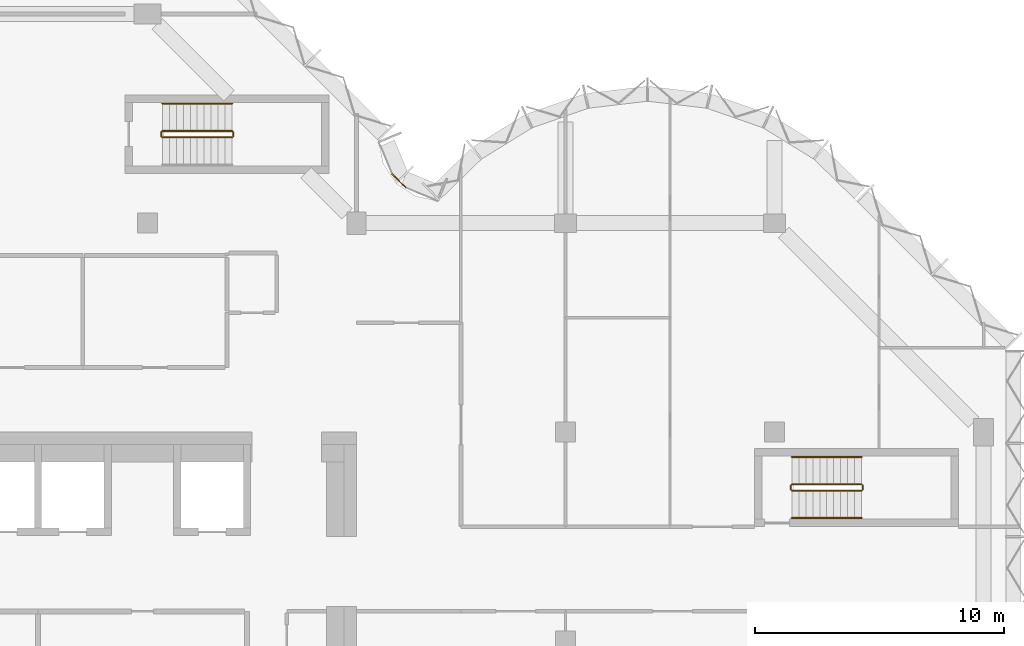
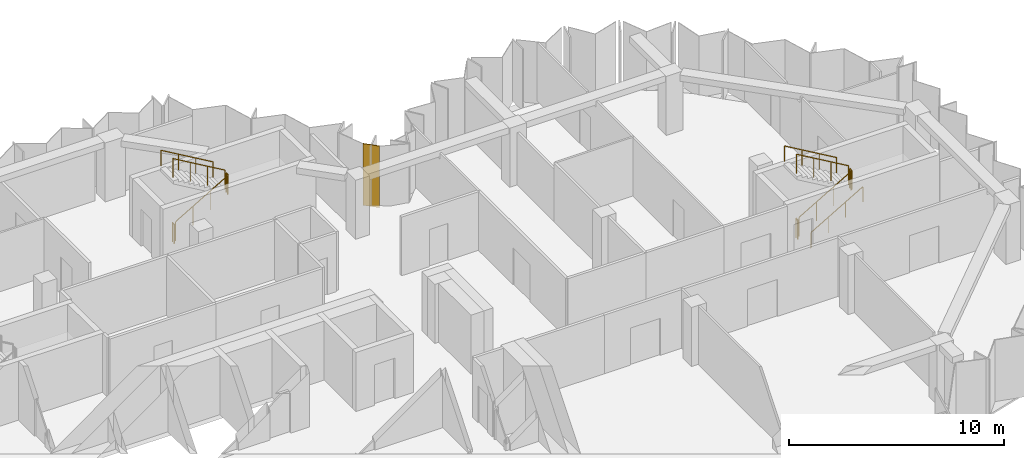
# One storey, part 10 of 10: 11 railings, 1 covering, 1 element without a shape of its own.
"""IFC4 building model written with IfcOpenShell, lengths in metres."""

from ifc_helpers import new_model, si_unit, direction, frame, origin, origin_2d, place, context, subcontext, project, spatial, polyline, circle, outline, extrude, material, layer, layer_set, type_object, element, aggregate, save


model = new_model("IFC4")

# Units and contexts
model_context = context("Model", 3, precision=1e-05, world=origin(), true_north=direction((0.0, 1.0)))
body_context = subcontext(model_context, "Body", "Model", "MODEL_VIEW")
ifc_project = project(units=[si_unit("LENGTHUNIT", "METRE"), si_unit("AREAUNIT", "SQUARE_METRE"), si_unit("VOLUMEUNIT", "CUBIC_METRE"), si_unit("PLANEANGLEUNIT", "RADIAN"), si_unit("MASSUNIT", "GRAM", prefix="KILO")], contexts=[model_context])

# Site, building, storey
site_placement = place(None, origin())
site = spatial("IfcSite", under=ifc_project, at=site_placement, CompositionType="ELEMENT")
building_placement = place(site_placement, origin())
building = spatial("IfcBuilding", under=site, at=building_placement, Name="Brevane Broadcast Tower", CompositionType="ELEMENT")
storey_placement = place(building_placement, frame((0.0, 0.0, 237.300048828125)))
storey = spatial("IfcBuildingStorey", under=building, at=storey_placement, Name="L60", CompositionType="ELEMENT", Elevation=237.300048828125)

# Railings
ifc_material_1 = material(Name="Steel S355", Category="steel")
railing_type_1 = type_object("IfcRailingType", Name="Exit stair guard", PredefinedType="GUARDRAIL", material=ifc_material_1)
railing_1_placement = place(storey_placement, frame((17.39990234375, 28.64990234375, 0.16357421875)))
element("IfcRailing", 1, at=railing_1_placement, inside=storey, type_object=railing_type_1, Name="L60 ST-3 stair guard 1", PredefinedType="GUARDRAIL", context=body_context, shape_type="SweptSolid", body=[
    extrude(circle(Radius=0.02392578125, at=origin_2d()), frame((0.0, 0.0, 1.076171875), z_axis=(0.863360870873, 0.0, 0.504586966384), x_axis=(0.0, 1.0, 0.0)), (0.0, 0.0, 1.0), 3.2431640625),
    extrude(circle(Radius=0.02099609375, at=origin_2d()), origin(), (0.0, 0.0, 1.0), 1.052001953125),
    extrude(circle(Radius=0.02099609375, at=origin_2d()), frame((0.933349609375, 0.0, 0.54541015625)), (0.0, 0.0, 1.0), 1.052001953125),
    extrude(circle(Radius=0.02099609375, at=origin_2d()), frame((1.86669921875, 0.0, 1.091064453125)), (0.0, 0.0, 1.0), 1.052001953125),
    extrude(circle(Radius=0.02099609375, at=origin_2d()), frame((2.800048828125, 0.0, 1.636474609375)), (0.0, 0.0, 1.0), 1.052001953125),
])
railing_2_placement = place(storey_placement, frame((20.25, 28.699951171875, 1.800048828125)))
element("IfcRailing", 2, at=railing_2_placement, inside=storey, type_object=railing_type_1, Name="L60 ST-3 stair guard 2", PredefinedType="GUARDRAIL", context=body_context, shape_type="SweptSolid", body=[
    extrude(circle(Radius=0.02392578125, at=origin_2d()), frame((0.0, 0.0, 1.076171875), z_axis=(0.0, 1.0, 0.0), x_axis=(-1.0, 0.0, 0.0)), (0.0, 0.0, 1.0), 0.150146484375),
    extrude(circle(Radius=0.02099609375, at=origin_2d()), origin(), (0.0, 0.0, 1.0), 1.052001953125),
    extrude(circle(Radius=0.02099609375, at=origin_2d()), frame((0.0, 0.150146484375, 0.0)), (0.0, 0.0, 1.0), 1.052001953125),
])
railing_3_placement = place(storey_placement, frame((20.199951171875, 28.89990234375, 1.963623046875)))
element("IfcRailing", 3, at=railing_3_placement, inside=storey, type_object=railing_type_1, Name="L60 ST-3 stair guard 3", PredefinedType="GUARDRAIL", context=body_context, shape_type="SweptSolid", body=[
    extrude(circle(Radius=0.02392578125, at=origin_2d()), frame((0.0, 0.0, 1.076171875), z_axis=(-0.863393664356, 0.0, 0.504530851732), x_axis=(0.0, -1.0, 0.0)), (0.0, 0.0, 1.0), 3.2431640625),
    extrude(circle(Radius=0.02099609375, at=origin_2d()), origin(), (0.0, 0.0, 1.0), 1.052001953125),
    extrude(circle(Radius=0.02099609375, at=origin_2d()), frame((-0.933349609375, 0.0, 0.54541015625)), (0.0, 0.0, 1.0), 1.052001953125),
    extrude(circle(Radius=0.02099609375, at=origin_2d()), frame((-1.86669921875, 0.0, 1.0908203125)), (0.0, 0.0, 1.0), 1.052001953125),
    extrude(circle(Radius=0.02099609375, at=origin_2d()), frame((-2.800048828125, 0.0, 1.63623046875)), (0.0, 0.0, 1.0), 1.052001953125),
])
railing_4_placement = place(storey_placement, frame((17.35009765625, 28.699951171875, 0.0)))
element("IfcRailing", 4, at=railing_4_placement, inside=storey, type_object=railing_type_1, Name="L60 ST-3 stair guard 4", PredefinedType="GUARDRAIL", context=body_context, shape_type="SweptSolid", body=[
    extrude(circle(Radius=0.02392578125, at=origin_2d()), frame((0.0, 0.0, 1.076171875), z_axis=(0.0, 1.0, 0.0), x_axis=(-1.0, 0.0, 0.0)), (0.0, 0.0, 1.0), 0.150146484375),
    extrude(circle(Radius=0.02099609375, at=origin_2d()), origin(), (0.0, 0.0, 1.0), 1.052001953125),
    extrude(circle(Radius=0.02099609375, at=origin_2d()), frame((0.0, 0.150146484375, 0.0)), (0.0, 0.0, 1.0), 1.052001953125),
])
railing_5_placement = place(storey_placement, frame((42.699951171875, 14.449951171875, 0.16357421875)))
element("IfcRailing", 5, at=railing_5_placement, inside=storey, type_object=railing_type_1, Name="L60 ST-4 stair guard 1", PredefinedType="GUARDRAIL", context=body_context, shape_type="SweptSolid", body=[
    extrude(circle(Radius=0.02392578125, at=origin_2d()), frame((0.0, 0.0, 1.076171875), z_axis=(0.863360870873, 0.0, 0.504586966384), x_axis=(0.0, 1.0, 0.0)), (0.0, 0.0, 1.0), 3.2431640625),
    extrude(circle(Radius=0.02099609375, at=origin_2d()), origin(), (0.0, 0.0, 1.0), 1.052001953125),
    extrude(circle(Radius=0.02099609375, at=origin_2d()), frame((0.933349609375, 0.0, 0.54541015625)), (0.0, 0.0, 1.0), 1.052001953125),
    extrude(circle(Radius=0.02099609375, at=origin_2d()), frame((1.86669921875, 0.0, 1.091064453125)), (0.0, 0.0, 1.0), 1.052001953125),
    extrude(circle(Radius=0.02099609375, at=origin_2d()), frame((2.800048828125, 0.0, 1.636474609375)), (0.0, 0.0, 1.0), 1.052001953125),
])
railing_6_placement = place(storey_placement, frame((45.550048828125, 14.5, 1.800048828125)))
element("IfcRailing", 6, at=railing_6_placement, inside=storey, type_object=railing_type_1, Name="L60 ST-4 stair guard 2", PredefinedType="GUARDRAIL", context=body_context, shape_type="SweptSolid", body=[
    extrude(circle(Radius=0.02392578125, at=origin_2d()), frame((0.0, 0.0, 1.076171875), z_axis=(0.0, 1.0, 0.0), x_axis=(-1.0, 0.0, 0.0)), (0.0, 0.0, 1.0), 0.14990234375),
    extrude(circle(Radius=0.02099609375, at=origin_2d()), origin(), (0.0, 0.0, 1.0), 1.052001953125),
    extrude(circle(Radius=0.02099609375, at=origin_2d()), frame((0.0, 0.14990234375, 0.0)), (0.0, 0.0, 1.0), 1.052001953125),
])
railing_7_placement = place(storey_placement, frame((45.5, 14.699951171875, 1.963623046875)))
element("IfcRailing", 7, at=railing_7_placement, inside=storey, type_object=railing_type_1, Name="L60 ST-4 stair guard 3", PredefinedType="GUARDRAIL", context=body_context, shape_type="SweptSolid", body=[
    extrude(circle(Radius=0.02392578125, at=origin_2d()), frame((0.0, 0.0, 1.076171875), z_axis=(-0.863393664356, 0.0, 0.504530851732), x_axis=(0.0, -1.0, 0.0)), (0.0, 0.0, 1.0), 3.2431640625),
    extrude(circle(Radius=0.02099609375, at=origin_2d()), origin(), (0.0, 0.0, 1.0), 1.052001953125),
    extrude(circle(Radius=0.02099609375, at=origin_2d()), frame((-0.933349609375, 0.0, 0.54541015625)), (0.0, 0.0, 1.0), 1.052001953125),
    extrude(circle(Radius=0.02099609375, at=origin_2d()), frame((-1.86669921875, 0.0, 1.0908203125)), (0.0, 0.0, 1.0), 1.052001953125),
    extrude(circle(Radius=0.02099609375, at=origin_2d()), frame((-2.800048828125, 0.0, 1.63623046875)), (0.0, 0.0, 1.0), 1.052001953125),
])
railing_8_placement = place(storey_placement, frame((42.64990234375, 14.5, 0.0)))
element("IfcRailing", 8, at=railing_8_placement, inside=storey, type_object=railing_type_1, Name="L60 ST-4 stair guard 4", PredefinedType="GUARDRAIL", context=body_context, shape_type="SweptSolid", body=[
    extrude(circle(Radius=0.02392578125, at=origin_2d()), frame((0.0, 0.0, 1.076171875), z_axis=(0.0, 1.0, 0.0), x_axis=(-1.0, 0.0, 0.0)), (0.0, 0.0, 1.0), 0.14990234375),
    extrude(circle(Radius=0.02099609375, at=origin_2d()), origin(), (0.0, 0.0, 1.0), 1.052001953125),
    extrude(circle(Radius=0.02099609375, at=origin_2d()), frame((0.0, 0.14990234375, 0.0)), (0.0, 0.0, 1.0), 1.052001953125),
])
railing_type_2 = type_object("IfcRailingType", Name="Exit stair handrail", PredefinedType="HANDRAIL", material=ifc_material_1)
railing_9_placement = place(storey_placement, frame((20.199951171875, 30.0, 1.963623046875)))
element("IfcRailing", 9, at=railing_9_placement, inside=storey, type_object=railing_type_2, Name="L60 ST-3 stair handrail 2", PredefinedType="HANDRAIL", context=body_context, shape_type="SweptSolid", body=[
    extrude(circle(Radius=0.02392578125, at=origin_2d()), frame((0.0, 0.0, 0.8759765625), z_axis=(-0.863393664356, 0.0, 0.504530851732), x_axis=(0.0, -1.0, 0.0)), (0.0, 0.0, 1.0), 3.2431640625),
    extrude(circle(Radius=0.02099609375, at=origin_2d()), origin(), (0.0, 0.0, 1.0), 0.851806640625),
    extrude(circle(Radius=0.02099609375, at=origin_2d()), frame((-0.933349609375, 0.0, 0.54541015625)), (0.0, 0.0, 1.0), 0.851806640625),
    extrude(circle(Radius=0.02099609375, at=origin_2d()), frame((-1.86669921875, 0.0, 1.0908203125)), (0.0, 0.0, 1.0), 0.851806640625),
    extrude(circle(Radius=0.02099609375, at=origin_2d()), frame((-2.800048828125, 0.0, 1.63623046875)), (0.0, 0.0, 1.0), 0.851806640625),
])
railing_10_placement = place(storey_placement, frame((42.699951171875, 13.35009765625, 0.16357421875)))
element("IfcRailing", 10, at=railing_10_placement, inside=storey, type_object=railing_type_2, Name="L60 ST-4 stair handrail 1", PredefinedType="HANDRAIL", context=body_context, shape_type="SweptSolid", body=[
    extrude(circle(Radius=0.02392578125, at=origin_2d()), frame((0.0, 0.0, 0.8759765625), z_axis=(0.863360870873, 0.0, 0.504586966384), x_axis=(0.0, 1.0, 0.0)), (0.0, 0.0, 1.0), 3.2431640625),
    extrude(circle(Radius=0.02099609375, at=origin_2d()), origin(), (0.0, 0.0, 1.0), 0.851806640625),
    extrude(circle(Radius=0.02099609375, at=origin_2d()), frame((0.933349609375, 0.0, 0.54541015625)), (0.0, 0.0, 1.0), 0.851806640625),
    extrude(circle(Radius=0.02099609375, at=origin_2d()), frame((1.86669921875, 0.0, 1.091064453125)), (0.0, 0.0, 1.0), 0.851806640625),
    extrude(circle(Radius=0.02099609375, at=origin_2d()), frame((2.800048828125, 0.0, 1.636474609375)), (0.0, 0.0, 1.0), 0.851806640625),
])
railing_11_placement = place(storey_placement, frame((45.5, 15.800048828125, 1.963623046875)))
element("IfcRailing", 11, at=railing_11_placement, inside=storey, type_object=railing_type_2, Name="L60 ST-4 stair handrail 2", PredefinedType="HANDRAIL", context=body_context, shape_type="SweptSolid", body=[
    extrude(circle(Radius=0.02392578125, at=origin_2d()), frame((0.0, 0.0, 0.8759765625), z_axis=(-0.863393664356, 0.0, 0.504530851732), x_axis=(0.0, -1.0, 0.0)), (0.0, 0.0, 1.0), 3.2431640625),
    extrude(circle(Radius=0.02099609375, at=origin_2d()), origin(), (0.0, 0.0, 1.0), 0.851806640625),
    extrude(circle(Radius=0.02099609375, at=origin_2d()), frame((-0.933349609375, 0.0, 0.54541015625)), (0.0, 0.0, 1.0), 0.851806640625),
    extrude(circle(Radius=0.02099609375, at=origin_2d()), frame((-1.86669921875, 0.0, 1.0908203125)), (0.0, 0.0, 1.0), 0.851806640625),
    extrude(circle(Radius=0.02099609375, at=origin_2d()), frame((-2.800048828125, 0.0, 1.63623046875)), (0.0, 0.0, 1.0), 0.851806640625),
])

# Curtain wall, covering
ifc_material_2 = material(Name="Aluminium 6063-T6 bronze anodised", Category="aluminium")
curtain_wall_type = type_object("IfcCurtainWallType", Name="CW-1 curtain wall", PredefinedType="NOTDEFINED", material=ifc_material_2)
curtain_wall_placement = place(storey_placement, origin())
curtain_wall = element("IfcCurtainWall", 12, at=curtain_wall_placement, inside=storey, type_object=curtain_wall_type, Name="CW-1 typical tilted unit L60 inner corner", PredefinedType="NOTDEFINED")
ifc_material_3 = material(Name="Back-painted bronze glass shadow-box", Category="glass")
ifc_layer = layer(ifc_material_3, 0.0400390625)
ifc_layer_set = layer_set([ifc_layer], Name="Shadow-box panel 40")
covering_type = type_object("IfcCoveringType", Name="Shadow-box panel 40", PredefinedType="CLADDING", material=ifc_layer_set)
covering_placement = place(storey_placement, frame((0.0, 0.0, -0.150146484375)))
covering = element("IfcCovering", 13, at=covering_placement, type_object=covering_type, Name="Closure panel", PredefinedType="CLADDING", context=body_context, shape_type="SweptSolid", body=[
    extrude(outline(polyline([(27.17138671875, 26.60498046875), (27.2021484375, 26.635498046875), (26.635498046875, 27.2021484375), (26.60498046875, 27.17138671875), (27.17138671875, 26.60498046875)])), origin(), (0.0, 0.0, 1.0), 3.5),
])
aggregate(curtain_wall, [covering])

save(model, "model.ifc")
